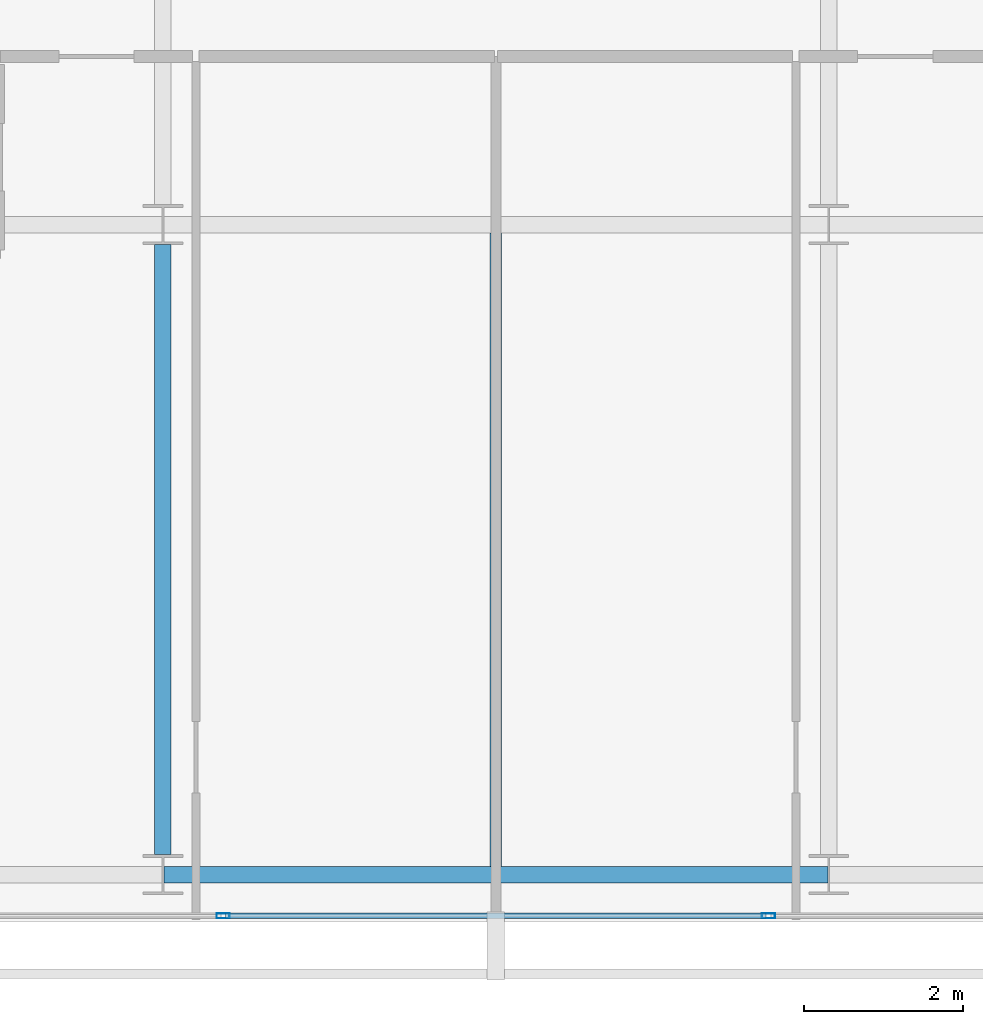
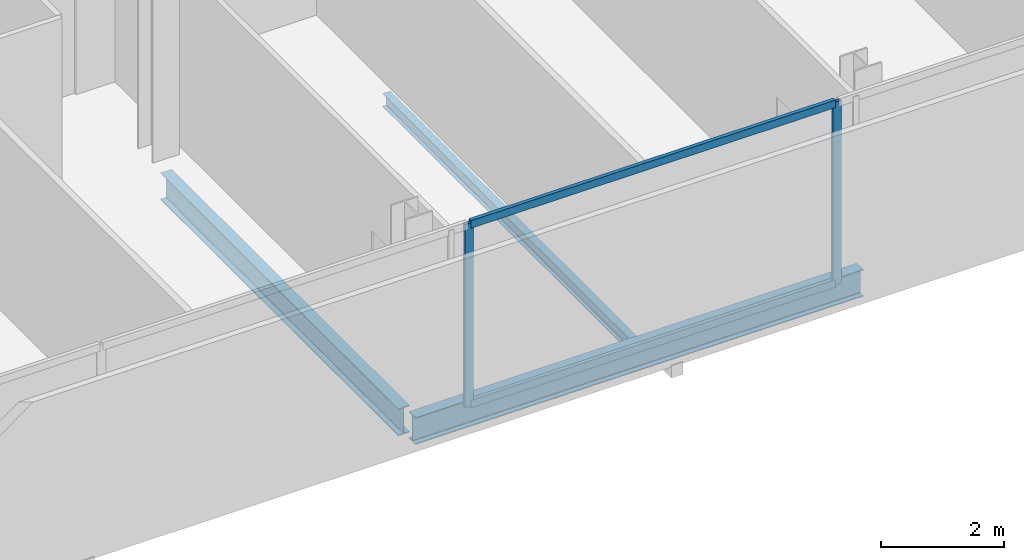
# One storey, part 6 of 26: 4 members, 3 beams, 1 element without a shape of its own.
"""IFC4 building model written with IfcOpenShell, lengths in metres."""

from ifc_helpers import new_model, si_unit, direction, frame, origin, origin_2d, place, context, subcontext, project, spatial, hollow_rectangle, i_section, extrude, material, layer, layer_set, material_profile, profile_set, type_object, element, aggregate, save


model = new_model("IFC4")

# Units and contexts
model_context = context("Model", 3, precision=1e-05, world=origin(), true_north=direction((0.0, 1.0)))
body_context = subcontext(model_context, "Body", "Model", "MODEL_VIEW")
ifc_project = project(units=[si_unit("LENGTHUNIT", "METRE"), si_unit("AREAUNIT", "SQUARE_METRE"), si_unit("VOLUMEUNIT", "CUBIC_METRE"), si_unit("PLANEANGLEUNIT", "RADIAN"), si_unit("MASSUNIT", "GRAM", prefix="KILO")], contexts=[model_context])

# Site, building, storey
site_placement = place(None, origin())
site = spatial("IfcSite", under=ifc_project, at=site_placement, CompositionType="ELEMENT")
building_placement = place(site_placement, origin())
building = spatial("IfcBuilding", under=site, at=building_placement, Name="Maruvema Waterfront Hotel and Observation Tower", CompositionType="ELEMENT")
storey_placement = place(building_placement, frame((0.0, 0.0, 254.800048828125)))
storey = spatial("IfcBuildingStorey", under=building, at=storey_placement, Name="L62", CompositionType="ELEMENT", Elevation=254.800048828125)

# Curtain wall, members
ifc_material_1 = material(Name="Anodised bronze aluminium and solar-control low-E IGU", Category="aluminium")
ifc_layer = layer(ifc_material_1, 0.159912109375, Name="Zone 3 Champagne Inner Thermal Curtain Wall System CW-04")
ifc_layer_set = layer_set([ifc_layer], Name="Anodised bronze aluminium and solar-control low-E IGU")
curtain_wall_type = type_object("IfcCurtainWallType", Name="Zone 3 Champagne Inner Thermal Curtain Wall System CW-04", PredefinedType="USERDEFINED", material=ifc_layer_set)
curtain_wall_placement = place(storey_placement, origin())
curtain_wall = element("IfcCurtainWall", 1, at=curtain_wall_placement, inside=storey, type_object=curtain_wall_type, Name="L62 Curtain Wall CW-L62-S", ObjectType="UNITISED CURTAIN WALL", PredefinedType="USERDEFINED")
ifc_material_2 = material(Name="Anodised architectural bronze aluminium", Category="aluminium")
ifc_material_profile_1 = material_profile(ifc_material_2, hollow_rectangle(XDim=0.070068359375, YDim=0.14990234375, WallThickness=0.00390625, at=origin_2d()), Name="ALU-T70x150")
ifc_profile_set_1 = profile_set([ifc_material_profile_1], Name="Anodised architectural bronze aluminium")
member_type_1 = type_object("IfcMemberType", Name="Curtain Wall Horizontal Transom ALU-T70x150", PredefinedType="USERDEFINED", material=ifc_profile_set_1)
member_1_placement = place(storey_placement, frame((34.389892578125, 9.280029296875, 0.030029296875), z_axis=(1.0, 0.0, 0.0), x_axis=(0.0, 1.0, 0.0)))
member_1 = element("IfcMember", 2, at=member_1_placement, type_object=member_type_1, Name="CW-04 transom 3.1", ObjectType="TRANSOM", PredefinedType="USERDEFINED", context=body_context, shape_type="SweptSolid", body=[
    extrude(hollow_rectangle(XDim=0.070068359375, YDim=0.14990234375, WallThickness=0.00390625, at=origin_2d()), origin(), (0.0, 0.0, 1.0), 6.820068359375),
])
member_2_placement = place(storey_placement, frame((34.389892578125, 9.280029296875, 3.579833984375), z_axis=(1.0, 0.0, 0.0), x_axis=(0.0, 1.0, 0.0)))
member_2 = element("IfcMember", 3, at=member_2_placement, type_object=member_type_1, Name="CW-04 transom 3.2", ObjectType="TRANSOM", PredefinedType="USERDEFINED", context=body_context, shape_type="SweptSolid", body=[
    extrude(hollow_rectangle(XDim=0.070068359375, YDim=0.14990234375, WallThickness=0.00390625, at=origin_2d()), origin(), (0.0, 0.0, 1.0), 6.820068359375),
])
ifc_material_3 = material(Name="Anodised architectural bronze aluminium", Category="aluminium")
ifc_material_profile_2 = material_profile(ifc_material_3, hollow_rectangle(XDim=0.06494140625, YDim=0.1650390625, WallThickness=0.00390625, at=origin_2d()), Name="ALU-M65x165")
ifc_profile_set_2 = profile_set([ifc_material_profile_2], Name="Anodised architectural bronze aluminium")
member_type_2 = type_object("IfcMemberType", Name="Curtain Wall Primary Mullion ALU-M65x165", PredefinedType="MULLION", material=ifc_profile_set_2)
member_3_placement = place(storey_placement, frame((34.360107421875, 9.280029296875, 0.0), z_axis=(0.0, 0.0, 1.0), x_axis=(0.0, 1.0, 0.0)))
member_3 = element("IfcMember", 4, at=member_3_placement, type_object=member_type_2, Name="CW-04 mullion 3", PredefinedType="MULLION", context=body_context, shape_type="SweptSolid", body=[
    extrude(hollow_rectangle(XDim=0.06494140625, YDim=0.1650390625, WallThickness=0.00390625, at=origin_2d()), origin(), (0.0, 0.0, 1.0), 3.60986328125),
])
member_4_placement = place(storey_placement, frame((41.239990234375, 9.280029296875, 0.0), z_axis=(0.0, 0.0, 1.0), x_axis=(0.0, 1.0, 0.0)))
member_4 = element("IfcMember", 5, at=member_4_placement, type_object=member_type_2, Name="CW-04 mullion 4", PredefinedType="MULLION", context=body_context, shape_type="SweptSolid", body=[
    extrude(hollow_rectangle(XDim=0.06494140625, YDim=0.1650390625, WallThickness=0.00390625, at=origin_2d()), origin(), (0.0, 0.0, 1.0), 3.60986328125),
])
aggregate(curtain_wall, [member_3, member_4, member_1, member_2])

# Beams
ifc_material_4 = material(Name="Steel ASTM A572 Grade 50", Category="steel")
ifc_material_profile_3 = material_profile(ifc_material_4, i_section(OverallWidth=0.208984375, OverallDepth=0.532958984375, WebThickness=0.01025390625, FlangeThickness=0.015625, FilletRadius=0.014892578125, at=origin_2d()), Name="W530x92.0")
ifc_profile_set_3 = profile_set([ifc_material_profile_3], Name="Steel ASTM A572 Grade 50")
beam_type_1 = type_object("IfcBeamType", Name="Primary Floor Girder W530x92.0", PredefinedType="BEAM", material=ifc_profile_set_3)
beam_1_placement = place(storey_placement, frame((33.611083984375, 9.800048828125, -0.506591796875), z_axis=(1.0, 0.0, 0.0), x_axis=(0.0, 1.0, 0.0)))
element("IfcBeam", 6, at=beam_1_placement, inside=storey, type_object=beam_type_1, Name="L62 Floor Girder EW-02", PredefinedType="BEAM", context=body_context, shape_type="SweptSolid", body=[
    extrude(i_section(OverallWidth=0.208984375, OverallDepth=0.532958984375, WebThickness=0.01025390625, FlangeThickness=0.015625, FilletRadius=0.014892578125, at=origin_2d()), origin(), (0.0, 0.0, 1.0), 8.3779296875),
])
beam_2_placement = place(storey_placement, frame((33.60009765625, 10.050048828125, -0.506591796875), z_axis=(0.0, 1.0, 0.0), x_axis=(-1.0, 0.0, 0.0)))
element("IfcBeam", 7, at=beam_2_placement, inside=storey, type_object=beam_type_1, Name="L62 Floor Girder NS-08", PredefinedType="BEAM", context=body_context, shape_type="SweptSolid", body=[
    extrude(i_section(OverallWidth=0.208984375, OverallDepth=0.532958984375, WebThickness=0.01025390625, FlangeThickness=0.015625, FilletRadius=0.014892578125, at=origin_2d()), origin(), (0.0, 0.0, 1.0), 7.699951171875),
])
ifc_material_5 = material(Name="Steel ASTM A572 Grade 50", Category="steel")
ifc_material_profile_4 = material_profile(ifc_material_5, i_section(OverallWidth=0.14599609375, OverallDepth=0.258056640625, WebThickness=0.006103515625, FlangeThickness=0.009033203125, FilletRadius=0.012939453125, at=origin_2d()), Name="W250x32.7")
ifc_profile_set_4 = profile_set([ifc_material_profile_4], Name="Steel ASTM A572 Grade 50")
beam_type_2 = type_object("IfcBeamType", Name="Secondary Floor Joist W250x32.7", PredefinedType="JOIST", material=ifc_profile_set_4)
beam_3_placement = place(storey_placement, frame((37.800048828125, 9.904541015625, -0.369140625), z_axis=(0.0, 1.0, 0.0), x_axis=(-1.0, 0.0, 0.0)))
element("IfcBeam", 8, at=beam_3_placement, inside=storey, type_object=beam_type_2, Name="L62 Secondary Floor Joist JS-05", PredefinedType="JOIST", context=body_context, shape_type="SweptSolid", body=[
    extrude(i_section(OverallWidth=0.14599609375, OverallDepth=0.258056640625, WebThickness=0.006103515625, FlangeThickness=0.009033203125, FilletRadius=0.012939453125, at=origin_2d()), origin(), (0.0, 0.0, 1.0), 7.990966796875),
])

save(model, "model.ifc")
